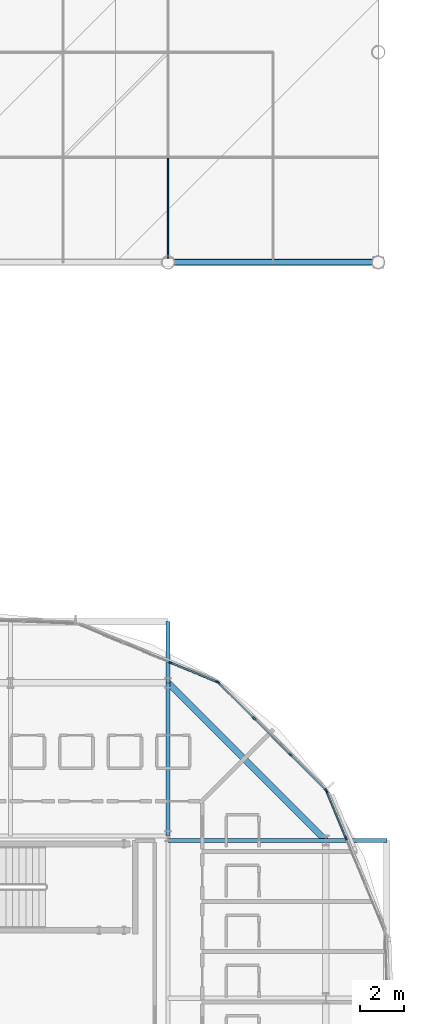
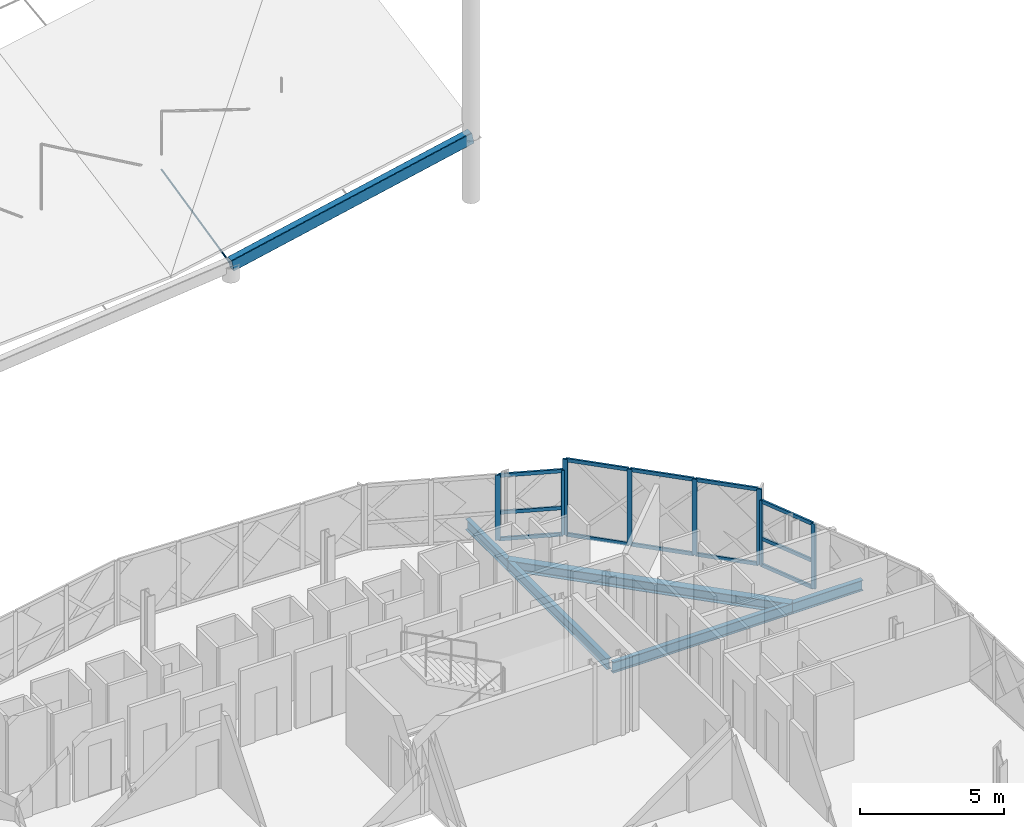
# One storey, part 17 of 40: 21 members, 6 beams, 3 elements without a shape of their own.
"""IFC4 building model written with IfcOpenShell, lengths in metres."""

from ifc_helpers import new_model, si_unit, direction, frame, origin, origin_2d, place, context, subcontext, project, spatial, rectangle, hollow_rectangle, circle, i_section, extrude, material, layer, layer_set, material_profile, profile_set, type_object, element, aggregate, save


model = new_model("IFC4")

# Units and contexts
model_context = context("Model", 3, precision=1e-05, world=origin(), true_north=direction((0.0, 1.0)))
body_context = subcontext(model_context, "Body", "Model", "MODEL_VIEW")
ifc_project = project(units=[si_unit("LENGTHUNIT", "METRE"), si_unit("AREAUNIT", "SQUARE_METRE"), si_unit("VOLUMEUNIT", "CUBIC_METRE"), si_unit("PLANEANGLEUNIT", "RADIAN"), si_unit("MASSUNIT", "GRAM", prefix="KILO")], contexts=[model_context])

# Site, building, storey
site_placement = place(None, origin())
site = spatial("IfcSite", under=ifc_project, at=site_placement, CompositionType="ELEMENT")
building_placement = place(site_placement, origin())
building = spatial("IfcBuilding", under=site, at=building_placement, Name="Zevrakil Square Congress Hotel", CompositionType="ELEMENT")
storey_placement = place(building_placement, frame((0.0, 0.0, 18.10009765625)))
storey = spatial("IfcBuildingStorey", under=building, at=storey_placement, Name="L05", CompositionType="ELEMENT", Elevation=18.10009765625)

# Beams
ifc_material_1 = material(Name="Steel S355", Category="steel")
ifc_material_profile_1 = material_profile(ifc_material_1, i_section(OverallWidth=0.300048828125, OverallDepth=0.43994140625, WebThickness=0.011474609375, FlangeThickness=0.02099609375, FilletRadius=0.027099609375, at=origin_2d()), Name="HEA 450")
ifc_profile_set_1 = profile_set([ifc_material_profile_1], Name="Steel S355")
beam_type_1 = type_object("IfcBeamType", Name="BM-HEA450", PredefinedType="BEAM", material=ifc_profile_set_1)
beam_1_placement = place(storey_placement, frame((163.199951171875, 38.39990234375, -0.405029296875), z_axis=(-0.70709479277, 0.7071187694, 0.0), x_axis=(-0.7071187694, -0.70709479277, 0.0)))
element("IfcBeam", 1, at=beam_1_placement, inside=storey, type_object=beam_type_1, Name="L05 drum ring girder DRB-08", PredefinedType="BEAM", context=body_context, shape_type="SweptSolid", body=[
    extrude(i_section(OverallWidth=0.300048828125, OverallDepth=0.43994140625, WebThickness=0.011474609375, FlangeThickness=0.02099609375, FilletRadius=0.027099609375, at=origin_2d()), origin(), (0.0, 0.0, 1.0), 10.182373046875),
])
ifc_material_2 = material(Name="Steel S355", Category="steel")
ifc_material_profile_2 = material_profile(ifc_material_2, i_section(OverallWidth=0.18994140625, OverallDepth=0.449951171875, WebThickness=0.009521484375, FlangeThickness=0.0146484375, FilletRadius=0.02099609375, at=origin_2d()), Name="IPE 450")
ifc_profile_set_2 = profile_set([ifc_material_profile_2], Name="Steel S355")
beam_type_2 = type_object("IfcBeamType", Name="BM-IPE450", PredefinedType="BEAM", material=ifc_profile_set_2)
beam_2_placement = place(storey_placement, frame((156.0, 38.39990234375, -0.41015625), z_axis=(1.0, 0.0, 0.0), x_axis=(0.0, 1.0, 0.0)))
element("IfcBeam", 2, at=beam_2_placement, inside=storey, type_object=beam_type_2, Name="L05 drum radial floor beam DRI-08", PredefinedType="BEAM", context=body_context, shape_type="SweptSolid", body=[
    extrude(i_section(OverallWidth=0.18994140625, OverallDepth=0.449951171875, WebThickness=0.009521484375, FlangeThickness=0.0146484375, FilletRadius=0.02099609375, at=origin_2d()), origin(), (0.0, 0.0, 1.0), 7.199951171875),
])
beam_3_placement = place(storey_placement, frame((163.199951171875, 38.39990234375, -0.41015625), z_axis=(1.0, 0.0, 0.0), x_axis=(0.0, 1.0, 0.0)))
element("IfcBeam", 3, at=beam_3_placement, inside=storey, type_object=beam_type_2, Name="L05 drum radial edge cantilever beam DRO-08", PredefinedType="BEAM", context=body_context, shape_type="SweptSolid", body=[
    extrude(i_section(OverallWidth=0.18994140625, OverallDepth=0.449951171875, WebThickness=0.009521484375, FlangeThickness=0.0146484375, FilletRadius=0.02099609375, at=origin_2d()), origin(), (0.0, 0.0, 1.0), 2.79248046875),
])
beam_4_placement = place(storey_placement, frame((156.0, 38.60009765625, -0.41015625), z_axis=(0.0, 1.0, 0.0), x_axis=(-1.0, 0.0, 0.0)))
element("IfcBeam", 4, at=beam_4_placement, inside=storey, type_object=beam_type_2, Name="L05 drum radial floor beam DRI-09", PredefinedType="BEAM", context=body_context, shape_type="SweptSolid", body=[
    extrude(i_section(OverallWidth=0.18994140625, OverallDepth=0.449951171875, WebThickness=0.009521484375, FlangeThickness=0.0146484375, FilletRadius=0.02099609375, at=origin_2d()), origin(), (0.0, 0.0, 1.0), 7.0),
])
beam_5_placement = place(storey_placement, frame((156.0, 45.60009765625, -0.41015625), z_axis=(0.0, 1.0, 0.0), x_axis=(-1.0, 0.0, 0.0)))
element("IfcBeam", 5, at=beam_5_placement, inside=storey, type_object=beam_type_2, Name="L05 drum radial edge cantilever beam DRO-09", PredefinedType="BEAM", context=body_context, shape_type="SweptSolid", body=[
    extrude(i_section(OverallWidth=0.18994140625, OverallDepth=0.449951171875, WebThickness=0.009521484375, FlangeThickness=0.0146484375, FilletRadius=0.02099609375, at=origin_2d()), origin(), (0.0, 0.0, 1.0), 2.79248046875),
])

# Curtain wall, members
ifc_material_3 = material(Name="Aluminium Anodised Bronze", Category="aluminium")
ifc_layer = layer(ifc_material_3, 0.179931640625)
ifc_layer_set = layer_set([ifc_layer], Name="Aluminium Anodised Bronze")
curtain_wall_type = type_object("IfcCurtainWallType", Name="CW-L05-720", PredefinedType="USERDEFINED", material=ifc_layer_set)
curtain_wall_1_placement = place(storey_placement, origin())
curtain_wall_1 = element("IfcCurtainWall", 6, at=curtain_wall_1_placement, inside=storey, type_object=curtain_wall_type, Name="L05 diamond curtain wall CW-L05-0188", ObjectType="GLAZED CURTAIN WALL", PredefinedType="USERDEFINED")
ifc_material_4 = material(Name="Aluminium Anodised Bronze", Category="aluminium")
ifc_material_profile_3 = material_profile(ifc_material_4, rectangle(XDim=0.074951171875, YDim=0.14990234375, at=origin_2d()), Name="ALU 75x150")
ifc_profile_set_3 = profile_set([ifc_material_profile_3], Name="Aluminium Anodised Bronze")
member_type_1 = type_object("IfcMemberType", Name="CWM-ALU75x150", PredefinedType="USERDEFINED", material=ifc_profile_set_3)
member_1_placement = place(storey_placement, frame((164.108642578125, 38.54296875, 0.02978515625), z_axis=(-0.382630285552, 0.923901544851, 0.0), x_axis=(-0.923901544851, -0.382630285552, 0.0)))
member_1 = element("IfcMember", 7, at=member_1_placement, type_object=member_type_1, Name="CW-58 transom 3.1", ObjectType="TRANSOM", PredefinedType="USERDEFINED", context=body_context, shape_type="SweptSolid", body=[
    extrude(rectangle(XDim=0.074951171875, YDim=0.14990234375, at=origin_2d()), origin(), (0.0, 0.0, 1.0), 2.245361328125),
])
member_2_placement = place(storey_placement, frame((164.108642578125, 38.54296875, 1.15283203125), z_axis=(-0.382630285552, 0.923901544851, 0.0), x_axis=(-0.923901544851, -0.382630285552, 0.0)))
member_2 = element("IfcMember", 8, at=member_2_placement, type_object=member_type_1, Name="CW-58 transom 3.2", ObjectType="TRANSOM", PredefinedType="USERDEFINED", context=body_context, shape_type="SweptSolid", body=[
    extrude(rectangle(XDim=0.074951171875, YDim=0.14990234375, at=origin_2d()), origin(), (0.0, 0.0, 1.0), 2.245361328125),
])
member_3_placement = place(storey_placement, frame((164.108642578125, 38.54296875, 2.71484375), z_axis=(-0.382630285552, 0.923901544851, 0.0), x_axis=(-0.923901544851, -0.382630285552, 0.0)))
member_3 = element("IfcMember", 9, at=member_3_placement, type_object=member_type_1, Name="CW-58 transom 3.3", ObjectType="TRANSOM", PredefinedType="USERDEFINED", context=body_context, shape_type="SweptSolid", body=[
    extrude(rectangle(XDim=0.074951171875, YDim=0.14990234375, at=origin_2d()), origin(), (0.0, 0.0, 1.0), 2.245361328125),
])

curtain_wall_2_placement = place(storey_placement, origin())
curtain_wall_2 = element("IfcCurtainWall", 10, at=curtain_wall_2_placement, inside=storey, type_object=curtain_wall_type, Name="L05 diamond curtain wall CW-L05-0189", ObjectType="GLAZED CURTAIN WALL", PredefinedType="USERDEFINED")
member_4_placement = place(storey_placement, frame((163.18408203125, 40.71533203125, 0.02978515625), z_axis=(-0.707161151013, 0.707052407179, 0.0), x_axis=(-0.707052407179, -0.707161151013, 0.0)))
member_4 = element("IfcMember", 11, at=member_4_placement, type_object=member_type_1, Name="CW-58 transom 1.1", ObjectType="TRANSOM", PredefinedType="USERDEFINED", context=body_context, shape_type="SweptSolid", body=[
    extrude(rectangle(XDim=0.074951171875, YDim=0.14990234375, at=origin_2d()), origin(), (0.0, 0.0, 1.0), 2.2451171875),
])
member_5_placement = place(storey_placement, frame((163.18408203125, 40.71533203125, 3.179931640625), z_axis=(-0.707161151013, 0.707052407179, 0.0), x_axis=(-0.707052407179, -0.707161151013, 0.0)))
member_5 = element("IfcMember", 12, at=member_5_placement, type_object=member_type_1, Name="CW-58 transom 1.2", ObjectType="TRANSOM", PredefinedType="USERDEFINED", context=body_context, shape_type="SweptSolid", body=[
    extrude(rectangle(XDim=0.074951171875, YDim=0.14990234375, at=origin_2d()), origin(), (0.0, 0.0, 1.0), 2.2451171875),
])
member_6_placement = place(storey_placement, frame((161.553955078125, 42.34521484375, 0.02978515625), z_axis=(-0.707053125097, 0.707160433205, 0.0), x_axis=(-0.707160433205, -0.707053125097, 0.0)))
member_6 = element("IfcMember", 13, at=member_6_placement, type_object=member_type_1, Name="CW-58 transom 2.1", ObjectType="TRANSOM", PredefinedType="USERDEFINED", context=body_context, shape_type="SweptSolid", body=[
    extrude(rectangle(XDim=0.074951171875, YDim=0.14990234375, at=origin_2d()), origin(), (0.0, 0.0, 1.0), 2.275146484375),
])
member_7_placement = place(storey_placement, frame((161.553955078125, 42.34521484375, 3.179931640625), z_axis=(-0.707053125097, 0.707160433205, 0.0), x_axis=(-0.707160433205, -0.707053125097, 0.0)))
member_7 = element("IfcMember", 14, at=member_7_placement, type_object=member_type_1, Name="CW-58 transom 2.2", ObjectType="TRANSOM", PredefinedType="USERDEFINED", context=body_context, shape_type="SweptSolid", body=[
    extrude(rectangle(XDim=0.074951171875, YDim=0.14990234375, at=origin_2d()), origin(), (0.0, 0.0, 1.0), 2.275146484375),
])
member_8_placement = place(storey_placement, frame((159.90283203125, 43.99658203125, 0.02978515625), z_axis=(-0.707161151013, 0.707052407179, 0.0), x_axis=(-0.707052407179, -0.707161151013, 0.0)))
member_8 = element("IfcMember", 15, at=member_8_placement, type_object=member_type_1, Name="CW-58 transom 3.1", ObjectType="TRANSOM", PredefinedType="USERDEFINED", context=body_context, shape_type="SweptSolid", body=[
    extrude(rectangle(XDim=0.074951171875, YDim=0.14990234375, at=origin_2d()), origin(), (0.0, 0.0, 1.0), 2.2451171875),
])
member_9_placement = place(storey_placement, frame((159.90283203125, 43.99658203125, 3.179931640625), z_axis=(-0.707161151013, 0.707052407179, 0.0), x_axis=(-0.707052407179, -0.707161151013, 0.0)))
member_9 = element("IfcMember", 16, at=member_9_placement, type_object=member_type_1, Name="CW-58 transom 3.2", ObjectType="TRANSOM", PredefinedType="USERDEFINED", context=body_context, shape_type="SweptSolid", body=[
    extrude(rectangle(XDim=0.074951171875, YDim=0.14990234375, at=origin_2d()), origin(), (0.0, 0.0, 1.0), 2.2451171875),
])

curtain_wall_3_placement = place(storey_placement, origin())
curtain_wall_3 = element("IfcCurtainWall", 17, at=curtain_wall_3_placement, inside=storey, type_object=curtain_wall_type, Name="L05 diamond curtain wall CW-L05-0190", ObjectType="GLAZED CURTAIN WALL", PredefinedType="USERDEFINED")
member_10_placement = place(storey_placement, frame((158.21728515625, 45.6494140625, 0.02978515625), z_axis=(-0.923847174836, 0.382761541363, 0.0), x_axis=(-0.382761541363, -0.923847174836, 0.0)))
member_10 = element("IfcMember", 18, at=member_10_placement, type_object=member_type_1, Name="CW-58 transom 1.1", ObjectType="TRANSOM", PredefinedType="USERDEFINED", context=body_context, shape_type="SweptSolid", body=[
    extrude(rectangle(XDim=0.074951171875, YDim=0.14990234375, at=origin_2d()), origin(), (0.0, 0.0, 1.0), 2.2451171875),
])
member_11_placement = place(storey_placement, frame((158.21728515625, 45.6494140625, 1.15283203125), z_axis=(-0.923847174836, 0.382761541363, 0.0), x_axis=(-0.382761541363, -0.923847174836, 0.0)))
member_11 = element("IfcMember", 19, at=member_11_placement, type_object=member_type_1, Name="CW-58 transom 1.2", ObjectType="TRANSOM", PredefinedType="USERDEFINED", context=body_context, shape_type="SweptSolid", body=[
    extrude(rectangle(XDim=0.074951171875, YDim=0.14990234375, at=origin_2d()), origin(), (0.0, 0.0, 1.0), 2.2451171875),
])
member_12_placement = place(storey_placement, frame((158.21728515625, 45.6494140625, 2.71484375), z_axis=(-0.923847174836, 0.382761541363, 0.0), x_axis=(-0.382761541363, -0.923847174836, 0.0)))
member_12 = element("IfcMember", 20, at=member_12_placement, type_object=member_type_1, Name="CW-58 transom 1.3", ObjectType="TRANSOM", PredefinedType="USERDEFINED", context=body_context, shape_type="SweptSolid", body=[
    extrude(rectangle(XDim=0.074951171875, YDim=0.14990234375, at=origin_2d()), origin(), (0.0, 0.0, 1.0), 2.2451171875),
])

# Member
ifc_material_5 = material(Name="Aluminium Anodised Bronze", Category="aluminium")
ifc_material_profile_4 = material_profile(ifc_material_5, rectangle(XDim=0.074951171875, YDim=0.179931640625, at=origin_2d()), Name="ALU 75x180")
ifc_profile_set_4 = profile_set([ifc_material_profile_4], Name="Aluminium Anodised Bronze")
member_type_2 = type_object("IfcMemberType", Name="CWM-ALU75x180", PredefinedType="MULLION", material=ifc_profile_set_4)
member_13_placement = place(storey_placement, frame((164.1201171875, 38.515380859375, 0.0), z_axis=(0.0, 0.0, 1.0), x_axis=(-0.92387939537, -0.382683763454, 0.0)))
member_13 = element("IfcMember", 21, at=member_13_placement, type_object=member_type_2, Name="CW-58 mullion 3", PredefinedType="MULLION", context=body_context, shape_type="SweptSolid", body=[
    extrude(rectangle(XDim=0.074951171875, YDim=0.179931640625, at=origin_2d()), origin(), (0.0, 0.0, 1.0), 2.744873046875),
])

member_14_placement = place(storey_placement, frame((163.238037109375, 40.64501953125, 0.0), z_axis=(0.0, 0.0, 1.0), x_axis=(-0.92387939537, -0.382683763454, 0.0)))
member_14 = element("IfcMember", 22, at=member_14_placement, type_object=member_type_2, Name="CW-58 mullion 4", PredefinedType="MULLION", context=body_context, shape_type="SweptSolid", body=[
    extrude(rectangle(XDim=0.074951171875, YDim=0.179931640625, at=origin_2d()), origin(), (0.0, 0.0, 1.0), 2.744873046875),
])

aggregate(curtain_wall_1, [member_13, member_14, member_1, member_2, member_3])

member_15_placement = place(storey_placement, frame((163.205322265625, 40.694091796875, 0.0), z_axis=(0.0, 0.0, 1.0), x_axis=(-0.707106781187, -0.707106781187, 0.0)))
member_15 = element("IfcMember", 23, at=member_15_placement, type_object=member_type_2, Name="CW-58 mullion 1", PredefinedType="MULLION", context=body_context, shape_type="SweptSolid", body=[
    extrude(rectangle(XDim=0.074951171875, YDim=0.179931640625, at=origin_2d()), origin(), (0.0, 0.0, 1.0), 3.2099609375),
])

member_16_placement = place(storey_placement, frame((161.5751953125, 42.323974609375, 0.0), z_axis=(0.0, 0.0, 1.0), x_axis=(-0.707106781187, -0.707106781187, 0.0)))
member_16 = element("IfcMember", 24, at=member_16_placement, type_object=member_type_2, Name="CW-58 mullion 2", PredefinedType="MULLION", context=body_context, shape_type="SweptSolid", body=[
    extrude(rectangle(XDim=0.074951171875, YDim=0.179931640625, at=origin_2d()), origin(), (0.0, 0.0, 1.0), 3.2099609375),
])

member_17_placement = place(storey_placement, frame((159.924072265625, 43.975341796875, 0.0), z_axis=(0.0, 0.0, 1.0), x_axis=(-0.707106781187, -0.707106781187, 0.0)))
member_17 = element("IfcMember", 25, at=member_17_placement, type_object=member_type_2, Name="CW-58 mullion 3", PredefinedType="MULLION", context=body_context, shape_type="SweptSolid", body=[
    extrude(rectangle(XDim=0.074951171875, YDim=0.179931640625, at=origin_2d()), origin(), (0.0, 0.0, 1.0), 3.2099609375),
])

member_18_placement = place(storey_placement, frame((158.2939453125, 45.605224609375, 0.0), z_axis=(0.0, 0.0, 1.0), x_axis=(-0.707106781187, -0.707106781187, 0.0)))
member_18 = element("IfcMember", 26, at=member_18_placement, type_object=member_type_2, Name="CW-58 mullion 4", PredefinedType="MULLION", context=body_context, shape_type="SweptSolid", body=[
    extrude(rectangle(XDim=0.074951171875, YDim=0.179931640625, at=origin_2d()), origin(), (0.0, 0.0, 1.0), 3.2099609375),
])

aggregate(curtain_wall_2, [member_15, member_16, member_17, member_18, member_4, member_5, member_6, member_7, member_8, member_9])

member_19_placement = place(storey_placement, frame((158.2451171875, 45.637939453125, 0.0), z_axis=(0.0, 0.0, 1.0), x_axis=(-0.382683763454, -0.92387939537, 0.0)))
member_19 = element("IfcMember", 27, at=member_19_placement, type_object=member_type_2, Name="CW-58 mullion 1", PredefinedType="MULLION", context=body_context, shape_type="SweptSolid", body=[
    extrude(rectangle(XDim=0.074951171875, YDim=0.179931640625, at=origin_2d()), origin(), (0.0, 0.0, 1.0), 2.744873046875),
])

member_20_placement = place(storey_placement, frame((156.115234375, 46.520263671875, 0.0), z_axis=(0.0, 0.0, 1.0), x_axis=(-0.382683763454, -0.92387939537, 0.0)))
member_20 = element("IfcMember", 28, at=member_20_placement, type_object=member_type_2, Name="CW-58 mullion 2", PredefinedType="MULLION", context=body_context, shape_type="SweptSolid", body=[
    extrude(rectangle(XDim=0.074951171875, YDim=0.179931640625, at=origin_2d()), origin(), (0.0, 0.0, 1.0), 2.744873046875),
])

aggregate(curtain_wall_3, [member_19, member_20, member_10, member_11, member_12])

ifc_material_6 = material(Name="Steel S355", Category="steel")
ifc_material_profile_5 = material_profile(ifc_material_6, circle(Radius=0.033935546875, at=origin_2d()), Name="CABLE RD68")
ifc_profile_set_5 = profile_set([ifc_material_profile_5], Name="Steel S355")
member_type_3 = type_object("IfcMemberType", Name="MEM-CABLE-RD68", PredefinedType="USERDEFINED", material=ifc_profile_set_5)
member_21_placement = place(storey_placement, frame((156.0, 64.800048828125, 0.601806640625), z_axis=(0.0, 0.975169384168, 0.221460317395), x_axis=(-1.0, 0.0, 0.0)))
element("IfcMember", 29, at=member_21_placement, inside=storey, type_object=member_type_3, Name="Congress saddle stabilizing cable CBH-08 seg 1", ObjectType="ROOF CABLE", PredefinedType="USERDEFINED", context=body_context, shape_type="SweptSolid", body=[
    extrude(circle(Radius=0.033935546875, at=origin_2d()), origin(), (0.0, 0.0, 1.0), 4.92236328125),
])

# Beam
ifc_material_7 = material(Name="Steel S355", Category="steel")
ifc_material_profile_6 = material_profile(ifc_material_7, hollow_rectangle(XDim=0.300048828125, YDim=0.5, WallThickness=0.02001953125, InnerFilletRadius=0.02001953125, OuterFilletRadius=0.0400390625, at=origin_2d()), Name="RHS 500x300x20")
ifc_profile_set_6 = profile_set([ifc_material_profile_6], Name="Steel S355")
beam_type_3 = type_object("IfcBeamType", Name="RNG-RHS500", PredefinedType="USERDEFINED", material=ifc_profile_set_6)
beam_6_placement = place(storey_placement, frame((156.0, 64.800048828125, 0.601806640625), z_axis=(0.977991280087, 0.0, 0.208645766966), x_axis=(0.0, 1.0, 0.0)))
element("IfcBeam", 30, at=beam_6_placement, inside=storey, type_object=beam_type_3, Name="Congress Hall compression ring beam RB-05", ObjectType="RING BEAM", PredefinedType="USERDEFINED", context=body_context, shape_type="SweptSolid", body=[
    extrude(hollow_rectangle(XDim=0.300048828125, YDim=0.5, WallThickness=0.02001953125, InnerFilletRadius=0.02001953125, OuterFilletRadius=0.0400390625, at=origin_2d()), origin(), (0.0, 0.0, 1.0), 9.816162109375),
])

save(model, "model.ifc")
